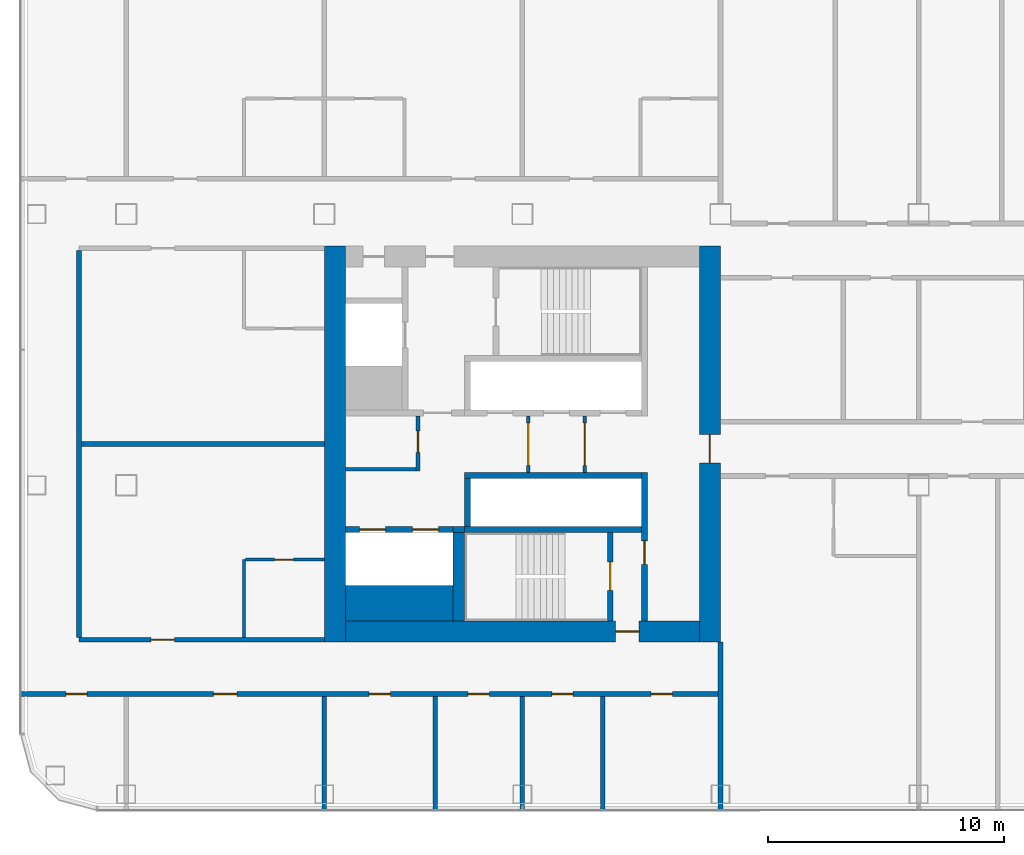
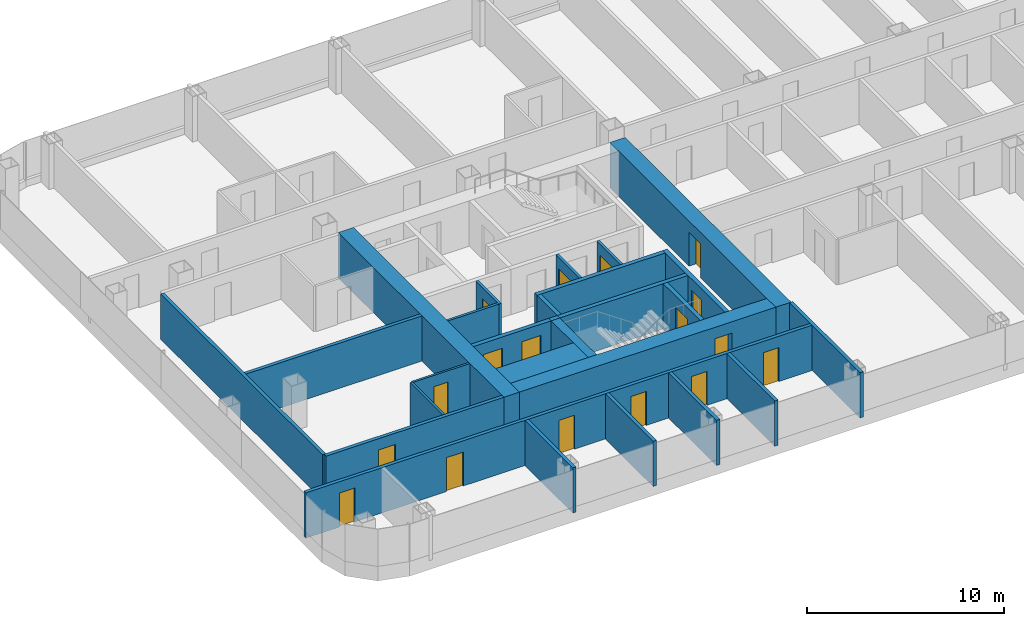
# One storey, part 15 of 29: 27 walls, 17 doors, 17 openings.
"""IFC4 building model written with IfcOpenShell, lengths in metres."""

from ifc_helpers import new_model, si_unit, direction, frame, frame_2d, origin, place, context, subcontext, project, spatial, rectangle, extrude, material, layer, layer_set, type_object, element, fill, save


model = new_model("IFC4")

# Units and contexts
model_context = context("Model", 3, precision=1e-05, world=origin(), true_north=direction((0.0, 1.0)))
body_context = subcontext(model_context, "Body", "Model", "MODEL_VIEW")
ifc_project = project(units=[si_unit("LENGTHUNIT", "METRE"), si_unit("AREAUNIT", "SQUARE_METRE"), si_unit("VOLUMEUNIT", "CUBIC_METRE"), si_unit("PLANEANGLEUNIT", "RADIAN"), si_unit("MASSUNIT", "GRAM", prefix="KILO")], contexts=[model_context])

# Site, building, storey
site_placement = place(None, origin())
site = spatial("IfcSite", under=ifc_project, at=site_placement, CompositionType="ELEMENT")
building_placement = place(site_placement, origin())
building = spatial("IfcBuilding", under=site, at=building_placement, Name="Hakoniwa Tower and Hamabe Station Hall", CompositionType="ELEMENT")
storey_placement = place(building_placement, frame((0.0, 0.0, 75.39990234375)))
storey = spatial("IfcBuildingStorey", under=building, at=storey_placement, Name="L20", CompositionType="ELEMENT", Elevation=75.39990234375)

# Wall, opening, door
ifc_material_1 = material(Name="Gypsum board partition", Category="gypsum")
ifc_layer_1 = layer(ifc_material_1, 0.125)
ifc_layer_set_1 = layer_set([ifc_layer_1], Name="Bathroom Partition 125")
wall_type_1 = type_object("IfcWallType", Name="Bathroom Partition 125", PredefinedType="PARTITIONING", material=ifc_layer_set_1)
wall_1_placement = place(storey_placement, frame((-36.9375, -4.89990234375, 0.0), z_axis=(0.0, 0.0, 1.0), x_axis=(1.0, 0.0, 0.0)))
wall_1 = element("IfcWall", 1, at=wall_1_placement, inside=storey, type_object=wall_type_1, Name="GW-L20-005", PredefinedType="PARTITIONING", context=body_context, shape_type="SweptSolid", body=[
    extrude(rectangle(XDim=3.33740234375, YDim=0.125, at=frame_2d((1.668701171875, 0.0))), origin(), (0.0, 0.0, 1.0), 2.800048828125),
])
opening_1_placement = place(wall_1_placement, frame((1.237548828125, 0.0, 0.0)))
opening_1 = element("IfcOpeningElement", 2, at=opening_1_placement, cuts=wall_1, Name="Opening GD-G2A0-16", PredefinedType="OPENING", context=body_context, shape_type="SweptSolid", body=[
    extrude(rectangle(XDim=0.800048828125, YDim=2.10009765625, at=frame_2d((0.39990234375, 1.050048828125))), frame((0.0, 0.072509765625, 0.0), z_axis=(0.0, -1.0, 0.0), x_axis=(1.0, 0.0, 0.0)), (0.0, 0.0, 1.0), 0.14501953125),
])
ifc_material_2 = material(Name="Timber door leaf", Category="wood")
door_type_1 = type_object("IfcDoorType", Name="Bathroom Door 800", OperationType="SINGLE_SWING_LEFT", PredefinedType="DOOR", material=ifc_material_2)
door_1_placement = place(opening_1_placement, origin())
door_1 = element("IfcDoor", 3, at=door_1_placement, inside=storey, type_object=door_type_1, Name="Door GD-G2A0-16", OperationType="SINGLE_SWING_LEFT", OverallHeight=2.10009765625, OverallWidth=0.800048828125, PredefinedType="DOOR", context=body_context, shape_type="SweptSolid", body=[
    extrude(rectangle(XDim=0.800048828125, YDim=2.10009765625, at=frame_2d((0.39990234375, 1.050048828125))), frame((0.0, 0.02490234375, 0.0), z_axis=(0.0, -1.0, 0.0), x_axis=(1.0, 0.0, 0.0)), (0.0, 0.0, 1.0), 0.050048828125),
])
fill(opening_1, door_1)

# Wall
wall_2_placement = place(storey_placement, frame((-37.0, -8.199951171875, 0.0), z_axis=(0.0, 0.0, 1.0), x_axis=(0.0, 1.0, 0.0)))
element("IfcWall", 4, at=wall_2_placement, inside=storey, type_object=wall_type_1, Name="GW-L20-030", PredefinedType="PARTITIONING", context=body_context, shape_type="SweptSolid", body=[
    extrude(rectangle(XDim=3.300048828125, YDim=0.125, at=frame_2d((1.64990234375, 0.0))), origin(), (0.0, 0.0, 1.0), 2.800048828125),
])

# Wall, opening, door
ifc_material_3 = material(Name="Gypsum board partition")
ifc_layer_2 = layer(ifc_material_3, 0.14990234375)
ifc_layer_set_2 = layer_set([ifc_layer_2], Name="CORE PARTITION 150 EI 60")
wall_type_2 = type_object("IfcWallType", Name="CORE PARTITION 150 EI 60", PredefinedType="PARTITIONING", material=ifc_layer_set_2)
wall_3_placement = place(storey_placement, frame((-22.550048828125, -1.199951171875, 0.0), z_axis=(0.0, 0.0, 1.0), x_axis=(0.0, 1.0, 0.0)))
wall_3 = element("IfcWall", 5, at=wall_3_placement, inside=storey, type_object=wall_type_2, Name="Core partition PL0 west", PredefinedType="PARTITIONING", context=body_context, shape_type="SweptSolid", body=[
    extrude(rectangle(XDim=2.39990234375, YDim=0.14990234375, at=frame_2d((1.199951171875, 0.0))), origin(), (0.0, 0.0, 1.0), 2.800048828125),
])
opening_2_placement = place(wall_3_placement, frame((0.300048828125, 0.0, 0.0)))
opening_2 = element("IfcOpeningElement", 6, at=opening_2_placement, cuts=wall_3, Name="Opening CD-W-LP0-18", PredefinedType="OPENING", context=body_context, shape_type="SweptSolid", body=[
    extrude(rectangle(XDim=1.800048828125, YDim=2.10009765625, at=frame_2d((0.89990234375, 1.050048828125))), frame((0.0, 0.0849609375, 0.0), z_axis=(0.0, -1.0, 0.0), x_axis=(1.0, 0.0, 0.0)), (0.0, 0.0, 1.0), 0.169921875),
])
ifc_material_4 = material(Name="Steel fire door", Category="steel")
door_type_2 = type_object("IfcDoorType", Name="CORE DOOR 1800 FD60", OperationType="DOUBLE_DOOR_SINGLE_SWING", PredefinedType="DOOR", material=ifc_material_4)
door_2_placement = place(opening_2_placement, origin())
door_2 = element("IfcDoor", 7, at=door_2_placement, inside=storey, type_object=door_type_2, Name="Lift lobby partition door", OperationType="DOUBLE_DOOR_SINGLE_SWING", OverallHeight=2.10009765625, OverallWidth=1.800048828125, PredefinedType="DOOR", context=body_context, shape_type="SweptSolid", body=[
    extrude(rectangle(XDim=1.800048828125, YDim=2.10009765625, at=frame_2d((0.89990234375, 1.050048828125))), frame((0.0, 0.02490234375, 0.0), z_axis=(0.0, -1.0, 0.0), x_axis=(1.0, 0.0, 0.0)), (0.0, 0.0, 1.0), 0.050048828125),
])
fill(opening_2, door_2)

wall_4_placement = place(storey_placement, frame((-24.949951171875, -1.199951171875, 0.0), z_axis=(0.0, 0.0, 1.0), x_axis=(0.0, 1.0, 0.0)))
wall_4 = element("IfcWall", 8, at=wall_4_placement, inside=storey, type_object=wall_type_2, Name="Core partition PL1 west", PredefinedType="PARTITIONING", context=body_context, shape_type="SweptSolid", body=[
    extrude(rectangle(XDim=2.39990234375, YDim=0.14990234375, at=frame_2d((1.199951171875, 0.0))), origin(), (0.0, 0.0, 1.0), 2.800048828125),
])
opening_3_placement = place(wall_4_placement, frame((0.300048828125, 0.0, 0.0)))
opening_3 = element("IfcOpeningElement", 9, at=opening_3_placement, cuts=wall_4, Name="Opening CD-W-LP1-18", PredefinedType="OPENING", context=body_context, shape_type="SweptSolid", body=[
    extrude(rectangle(XDim=1.800048828125, YDim=2.10009765625, at=frame_2d((0.89990234375, 1.050048828125))), frame((0.0, 0.0849609375, 0.0), z_axis=(0.0, -1.0, 0.0), x_axis=(1.0, 0.0, 0.0)), (0.0, 0.0, 1.0), 0.169921875),
])
door_3_placement = place(opening_3_placement, origin())
door_3 = element("IfcDoor", 10, at=door_3_placement, inside=storey, type_object=door_type_2, Name="Lift lobby partition door", OperationType="DOUBLE_DOOR_SINGLE_SWING", OverallHeight=2.10009765625, OverallWidth=1.800048828125, PredefinedType="DOOR", context=body_context, shape_type="SweptSolid", body=[
    extrude(rectangle(XDim=1.800048828125, YDim=2.10009765625, at=frame_2d((0.89990234375, 1.050048828125))), frame((0.0, 0.02490234375, 0.0), z_axis=(0.0, -1.0, 0.0), x_axis=(1.0, 0.0, 0.0)), (0.0, 0.0, 1.0), 0.050048828125),
])
fill(opening_3, door_3)

wall_5_placement = place(storey_placement, frame((-29.625, -1.14990234375, 0.0), z_axis=(0.0, 0.0, 1.0), x_axis=(0.0, 1.0, 0.0)))
wall_5 = element("IfcWall", 11, at=wall_5_placement, inside=storey, type_object=wall_type_2, Name="Core partition PW0 west", PredefinedType="PARTITIONING", context=body_context, shape_type="SweptSolid", body=[
    extrude(rectangle(XDim=2.349853515625, YDim=0.14990234375, at=frame_2d((1.1748046875, 0.0))), origin(), (0.0, 0.0, 1.0), 2.800048828125),
])
opening_4_placement = place(wall_5_placement, frame((0.800048828125, 0.0, 0.0)))
opening_4 = element("IfcOpeningElement", 12, at=opening_4_placement, cuts=wall_5, Name="Opening CD-W-RM1-9", PredefinedType="OPENING", context=body_context, shape_type="SweptSolid", body=[
    extrude(rectangle(XDim=0.89990234375, YDim=2.10009765625, at=frame_2d((0.449951171875, 1.050048828125))), frame((0.0, 0.0849609375, 0.0), z_axis=(0.0, -1.0, 0.0), x_axis=(1.0, 0.0, 0.0)), (0.0, 0.0, 1.0), 0.169921875),
])
ifc_material_5 = material(Name="Steel fire door", Category="steel")
door_type_3 = type_object("IfcDoorType", Name="CORE DOOR 900 FD30", OperationType="NOTDEFINED", PredefinedType="DOOR", material=ifc_material_5)
door_4_placement = place(opening_4_placement, origin())
door_4 = element("IfcDoor", 13, at=door_4_placement, inside=storey, type_object=door_type_3, Name="Store room door", OperationType="SINGLE_SWING_RIGHT", OverallHeight=2.10009765625, OverallWidth=0.89990234375, PredefinedType="DOOR", context=body_context, shape_type="SweptSolid", body=[
    extrude(rectangle(XDim=0.89990234375, YDim=2.10009765625, at=frame_2d((0.449951171875, 1.050048828125))), frame((0.0, 0.02490234375, 0.0), z_axis=(0.0, -1.0, 0.0), x_axis=(1.0, 0.0, 0.0)), (0.0, 0.0, 1.0), 0.050048828125),
])
fill(opening_4, door_4)

# Wall
wall_6_placement = place(storey_placement, frame((-32.699951171875, -1.074951171875, 0.0), z_axis=(0.0, 0.0, 1.0), x_axis=(1.0, 0.0, 0.0)))
element("IfcWall", 14, at=wall_6_placement, inside=storey, type_object=wall_type_2, Name="Core partition PS west", PredefinedType="PARTITIONING", context=body_context, shape_type="SweptSolid", body=[
    extrude(rectangle(XDim=3.0, YDim=0.14990234375, at=frame_2d((1.5, 0.0))), origin(), (0.0, 0.0, 1.0), 2.800048828125),
])

# Wall, opening, door
ifc_material_6 = material(Name="Concrete C72", Category="concrete")
ifc_layer_3 = layer(ifc_material_6, 0.89990234375)
ifc_layer_set_3 = layer_set([ifc_layer_3], Name="CORE WALL 900 C72")
wall_type_3 = type_object("IfcWallType", Name="CORE WALL 900 C72", PredefinedType="SHEAR", material=ifc_layer_set_3)
wall_7_placement = place(storey_placement, frame((-17.25, -8.39990234375, 0.0), z_axis=(0.0, 0.0, 1.0), x_axis=(0.0, 1.0, 0.0)))
wall_7 = element("IfcWall", 15, at=wall_7_placement, inside=storey, type_object=wall_type_3, Name="Core wall INNER west", PredefinedType="SHEAR", context=body_context, shape_type="SweptSolid", body=[
    extrude(rectangle(XDim=16.7998046875, YDim=0.89990234375, at=frame_2d((8.39990234375, 0.0))), origin(), (0.0, 0.0, 1.0), 2.800048828125),
])
opening_5_placement = place(wall_7_placement, frame((7.60009765625, 0.0, 0.0)))
opening_5 = element("IfcOpeningElement", 16, at=opening_5_placement, cuts=wall_7, Name="Opening CD-W-IN1-12", PredefinedType="OPENING", context=body_context, shape_type="SweptSolid", body=[
    extrude(rectangle(XDim=1.199951171875, YDim=2.10009765625, at=frame_2d((0.60009765625, 1.050048828125))), frame((0.0, 0.4599609375, 0.0), z_axis=(0.0, -1.0, 0.0), x_axis=(1.0, 0.0, 0.0)), (0.0, 0.0, 1.0), 0.919921875),
])
ifc_material_7 = material(Name="Steel fire door", Category="steel")
door_type_4 = type_object("IfcDoorType", Name="CORE DOOR 1200 FD60", OperationType="DOUBLE_DOOR_SINGLE_SWING", PredefinedType="DOOR", material=ifc_material_7)
door_5_placement = place(opening_5_placement, origin())
door_5 = element("IfcDoor", 17, at=door_5_placement, inside=storey, type_object=door_type_4, Name="Lift lobby door", OperationType="DOUBLE_DOOR_SINGLE_SWING", OverallHeight=2.10009765625, OverallWidth=1.199951171875, PredefinedType="DOOR", context=body_context, shape_type="SweptSolid", body=[
    extrude(rectangle(XDim=1.199951171875, YDim=2.10009765625, at=frame_2d((0.60009765625, 1.050048828125))), frame((0.0, 0.02490234375, 0.0), z_axis=(0.0, -1.0, 0.0), x_axis=(1.0, 0.0, 0.0)), (0.0, 0.0, 1.0), 0.050048828125),
])
fill(opening_5, door_5)

# Wall
wall_8_placement = place(storey_placement, frame((-33.14990234375, -8.39990234375, 0.0), z_axis=(0.0, 0.0, 1.0), x_axis=(0.0, 1.0, 0.0)))
element("IfcWall", 18, at=wall_8_placement, inside=storey, type_object=wall_type_3, Name="Core wall OUTER west", PredefinedType="SHEAR", context=body_context, shape_type="SweptSolid", body=[
    extrude(rectangle(XDim=16.7998046875, YDim=0.89990234375, at=frame_2d((8.39990234375, 0.0))), origin(), (0.0, 0.0, 1.0), 2.800048828125),
])

# Wall, opening, door
wall_9_placement = place(storey_placement, frame((-32.699951171875, -7.949951171875, 0.0), z_axis=(0.0, 0.0, 1.0), x_axis=(1.0, 0.0, 0.0)))
wall_9 = element("IfcWall", 19, at=wall_9_placement, inside=storey, type_object=wall_type_3, Name="Core wall SOUTH west", PredefinedType="SHEAR", context=body_context, shape_type="SweptSolid", body=[
    extrude(rectangle(XDim=15.0, YDim=0.89990234375, at=frame_2d((7.5, 0.0))), origin(), (0.0, 0.0, 1.0), 2.800048828125),
])
opening_6_placement = place(wall_9_placement, frame((11.449951171875, 0.0, 0.0)))
opening_6 = element("IfcOpeningElement", 20, at=opening_6_placement, cuts=wall_9, Name="Opening CD-W-FS3-10", PredefinedType="OPENING", context=body_context, shape_type="SweptSolid", body=[
    extrude(rectangle(XDim=1.0, YDim=2.10009765625, at=frame_2d((0.5, 1.050048828125))), frame((0.0, 0.4599609375, 0.0), z_axis=(0.0, -1.0, 0.0), x_axis=(1.0, 0.0, 0.0)), (0.0, 0.0, 1.0), 0.919921875),
])
ifc_material_8 = material(Name="Steel fire door", Category="steel")
door_type_5 = type_object("IfcDoorType", Name="CORE DOOR 1000 FD60", OperationType="NOTDEFINED", PredefinedType="DOOR", material=ifc_material_8)
door_6_placement = place(opening_6_placement, origin())
door_6 = element("IfcDoor", 21, at=door_6_placement, inside=storey, type_object=door_type_5, Name="Stair vestibule door", OperationType="SINGLE_SWING_RIGHT", OverallHeight=2.10009765625, OverallWidth=1.0, PredefinedType="DOOR", context=body_context, shape_type="SweptSolid", body=[
    extrude(rectangle(XDim=1.0, YDim=2.10009765625, at=frame_2d((0.5, 1.050048828125))), frame((0.0, 0.02490234375, 0.0), z_axis=(0.0, -1.0, 0.0), x_axis=(1.0, 0.0, 0.0)), (0.0, 0.0, 1.0), 0.050048828125),
])
fill(opening_6, door_6)

# Wall
ifc_material_9 = material(Name="Concrete C72", Category="concrete")
ifc_layer_4 = layer(ifc_material_9, 1.5)
ifc_layer_set_4 = layer_set([ifc_layer_4], Name="CORE WEB WALL 1500 C72")
wall_type_4 = type_object("IfcWallType", Name="CORE WEB WALL 1500 C72", PredefinedType="SHEAR", material=ifc_layer_set_4)
wall_10_placement = place(storey_placement, frame((-32.699951171875, -6.75, 0.0), z_axis=(0.0, 0.0, 1.0), x_axis=(1.0, 0.0, 0.0)))
element("IfcWall", 22, at=wall_10_placement, inside=storey, type_object=wall_type_4, Name="Core wall SER west", PredefinedType="SHEAR", context=body_context, shape_type="SweptSolid", body=[
    extrude(rectangle(XDim=4.550048828125, YDim=1.5, at=frame_2d((2.27490234375, 0.0))), origin(), (0.0, 0.0, 1.0), 2.800048828125),
])

# Wall, opening, door
ifc_material_10 = material(Name="Concrete C72", Category="concrete")
ifc_layer_5 = layer(ifc_material_10, 0.25)
ifc_layer_set_5 = layer_set([ifc_layer_5], Name="CORE WEB WALL 250 C72")
wall_type_5 = type_object("IfcWallType", Name="CORE WEB WALL 250 C72", PredefinedType="SHEAR", material=ifc_layer_set_5)
wall_11_placement = place(storey_placement, frame((-20.02490234375, -7.5, 0.0), z_axis=(0.0, 0.0, 1.0), x_axis=(0.0, 1.0, 0.0)))
wall_11 = element("IfcWall", 23, at=wall_11_placement, inside=storey, type_object=wall_type_5, Name="Core wall W1S west", PredefinedType="SHEAR", context=body_context, shape_type="SweptSolid", body=[
    extrude(rectangle(XDim=6.300048828125, YDim=0.25, at=frame_2d((3.14990234375, 0.0))), origin(), (0.0, 0.0, 1.0), 2.800048828125),
])
opening_7_placement = place(wall_11_placement, frame((2.39990234375, 0.0, 0.0)))
opening_7 = element("IfcOpeningElement", 24, at=opening_7_placement, cuts=wall_11, Name="Opening CD-W-VS-10", PredefinedType="OPENING", context=body_context, shape_type="SweptSolid", body=[
    extrude(rectangle(XDim=1.0, YDim=2.10009765625, at=frame_2d((0.5, 1.050048828125))), frame((0.0, 0.135009765625, 0.0), z_axis=(0.0, -1.0, 0.0), x_axis=(1.0, 0.0, 0.0)), (0.0, 0.0, 1.0), 0.27001953125),
])
door_7_placement = place(opening_7_placement, origin())
door_7 = element("IfcDoor", 25, at=door_7_placement, inside=storey, type_object=door_type_5, Name="Stair vestibule door", OperationType="SINGLE_SWING_LEFT", OverallHeight=2.10009765625, OverallWidth=1.0, PredefinedType="DOOR", context=body_context, shape_type="SweptSolid", body=[
    extrude(rectangle(XDim=1.0, YDim=2.10009765625, at=frame_2d((0.5, 1.050048828125))), frame((0.0, 0.02490234375, 0.0), z_axis=(0.0, -1.0, 0.0), x_axis=(1.0, 0.0, 0.0)), (0.0, 0.0, 1.0), 0.050048828125),
])
fill(opening_7, door_7)

# Walls
wall_12_placement = place(storey_placement, frame((-27.64990234375, -1.324951171875, 0.0), z_axis=(0.0, 0.0, 1.0), x_axis=(1.0, 0.0, 0.0)))
element("IfcWall", 26, at=wall_12_placement, inside=storey, type_object=wall_type_5, Name="Core wall SF west", PredefinedType="SHEAR", context=body_context, shape_type="SweptSolid", body=[
    extrude(rectangle(XDim=7.5, YDim=0.25, at=frame_2d((3.75, 0.0))), origin(), (0.0, 0.0, 1.0), 2.800048828125),
])
wall_13_placement = place(storey_placement, frame((-27.52490234375, -3.5, 0.0), z_axis=(0.0, 0.0, 1.0), x_axis=(0.0, 1.0, 0.0)))
element("IfcWall", 27, at=wall_13_placement, inside=storey, type_object=wall_type_5, Name="Core wall SE west", PredefinedType="SHEAR", context=body_context, shape_type="SweptSolid", body=[
    extrude(rectangle(XDim=2.050048828125, YDim=0.25, at=frame_2d((1.02490234375, 0.0))), origin(), (0.0, 0.0, 1.0), 2.800048828125),
])
wall_14_placement = place(storey_placement, frame((-27.64990234375, -3.625, 0.0), z_axis=(0.0, 0.0, 1.0), x_axis=(1.0, 0.0, 0.0)))
element("IfcWall", 28, at=wall_14_placement, inside=storey, type_object=wall_type_5, Name="Core wall SR west", PredefinedType="SHEAR", context=body_context, shape_type="SweptSolid", body=[
    extrude(rectangle(XDim=7.5, YDim=0.25, at=frame_2d((3.75, 0.0))), origin(), (0.0, 0.0, 1.0), 2.800048828125),
])

# Wall, opening, door
wall_15_placement = place(storey_placement, frame((-21.47509765625, -7.5, 0.0), z_axis=(0.0, 0.0, 1.0), x_axis=(0.0, 1.0, 0.0)))
wall_15 = element("IfcWall", 29, at=wall_15_placement, inside=storey, type_object=wall_type_5, Name="Core wall VE west", PredefinedType="SHEAR", context=body_context, shape_type="SweptSolid", body=[
    extrude(rectangle(XDim=3.75, YDim=0.25, at=frame_2d((1.875, 0.0))), origin(), (0.0, 0.0, 1.0), 2.800048828125),
])
opening_8_placement = place(wall_15_placement, frame((1.300048828125, 0.0, 0.0)))
opening_8 = element("IfcOpeningElement", 30, at=opening_8_placement, cuts=wall_15, Name="Opening CD-W-SS-12", PredefinedType="OPENING", context=body_context, shape_type="SweptSolid", body=[
    extrude(rectangle(XDim=1.199951171875, YDim=2.10009765625, at=frame_2d((0.60009765625, 1.050048828125))), frame((0.0, 0.135009765625, 0.0), z_axis=(0.0, -1.0, 0.0), x_axis=(1.0, 0.0, 0.0)), (0.0, 0.0, 1.0), 0.27001953125),
])
door_8_placement = place(opening_8_placement, origin())
door_8 = element("IfcDoor", 31, at=door_8_placement, inside=storey, type_object=door_type_4, Name="Escape stair door", OperationType="DOUBLE_DOOR_SINGLE_SWING", OverallHeight=2.10009765625, OverallWidth=1.199951171875, PredefinedType="DOOR", context=body_context, shape_type="SweptSolid", body=[
    extrude(rectangle(XDim=1.199951171875, YDim=2.10009765625, at=frame_2d((0.60009765625, 1.050048828125))), frame((0.0, 0.02490234375, 0.0), z_axis=(0.0, -1.0, 0.0), x_axis=(1.0, 0.0, 0.0)), (0.0, 0.0, 1.0), 0.050048828125),
])
fill(opening_8, door_8)

# Wall, openings, doors
wall_16_placement = place(storey_placement, frame((-32.699951171875, -3.625, 0.0), z_axis=(0.0, 0.0, 1.0), x_axis=(1.0, 0.0, 0.0)))
wall_16 = element("IfcWall", 32, at=wall_16_placement, inside=storey, type_object=wall_type_5, Name="Core wall SEF west", PredefinedType="SHEAR", context=body_context, shape_type="SweptSolid", body=[
    extrude(rectangle(XDim=4.550048828125, YDim=0.25, at=frame_2d((2.27490234375, 0.0))), origin(), (0.0, 0.0, 1.0), 2.800048828125),
])
opening_9_placement = place(wall_16_placement, frame((2.85009765625, 0.0, 0.0)))
opening_9 = element("IfcOpeningElement", 33, at=opening_9_placement, cuts=wall_16, Name="Opening LD-SV1", PredefinedType="OPENING", context=body_context, shape_type="SweptSolid", body=[
    extrude(rectangle(XDim=1.10009765625, YDim=2.10009765625, at=frame_2d((0.550048828125, 1.050048828125))), frame((0.0, 0.135009765625, 0.0), z_axis=(0.0, -1.0, 0.0), x_axis=(1.0, 0.0, 0.0)), (0.0, 0.0, 1.0), 0.27001953125),
])
opening_10_placement = place(wall_16_placement, frame((0.60009765625, 0.0, 0.0)))
opening_10 = element("IfcOpeningElement", 34, at=opening_10_placement, cuts=wall_16, Name="Opening LD-SV2", PredefinedType="OPENING", context=body_context, shape_type="SweptSolid", body=[
    extrude(rectangle(XDim=1.10009765625, YDim=2.10009765625, at=frame_2d((0.550048828125, 1.050048828125))), frame((0.0, 0.135009765625, 0.0), z_axis=(0.0, -1.0, 0.0), x_axis=(1.0, 0.0, 0.0)), (0.0, 0.0, 1.0), 0.27001953125),
])
ifc_material_11 = material(Name="Stainless steel SUS304", Category="steel")
door_type_6 = type_object("IfcDoorType", Name="LIFT LANDING DOOR 1100 FD60", OperationType="DOUBLE_DOOR_SLIDING", PredefinedType="DOOR", material=ifc_material_11)
door_9_placement = place(opening_9_placement, origin())
door_9 = element("IfcDoor", 35, at=door_9_placement, inside=storey, type_object=door_type_6, Name="Lift landing door SV1 L20", OperationType="DOUBLE_DOOR_SLIDING", OverallHeight=2.10009765625, OverallWidth=1.10009765625, PredefinedType="DOOR", context=body_context, shape_type="SweptSolid", body=[
    extrude(rectangle(XDim=1.10009765625, YDim=2.10009765625, at=frame_2d((0.550048828125, 1.050048828125))), frame((0.0, 0.02490234375, 0.0), z_axis=(0.0, -1.0, 0.0), x_axis=(1.0, 0.0, 0.0)), (0.0, 0.0, 1.0), 0.050048828125),
])
fill(opening_9, door_9)
door_10_placement = place(opening_10_placement, origin())
door_10 = element("IfcDoor", 36, at=door_10_placement, inside=storey, type_object=door_type_6, Name="Lift landing door SV2 L20", OperationType="DOUBLE_DOOR_SLIDING", OverallHeight=2.10009765625, OverallWidth=1.10009765625, PredefinedType="DOOR", context=body_context, shape_type="SweptSolid", body=[
    extrude(rectangle(XDim=1.10009765625, YDim=2.10009765625, at=frame_2d((0.550048828125, 1.050048828125))), frame((0.0, 0.02490234375, 0.0), z_axis=(0.0, -1.0, 0.0), x_axis=(1.0, 0.0, 0.0)), (0.0, 0.0, 1.0), 0.050048828125),
])
fill(opening_10, door_10)

# Walls
wall_17_placement = place(storey_placement, frame((-28.14990234375, -3.625, 0.0), z_axis=(0.0, 0.0, 1.0), x_axis=(1.0, 0.0, 0.0)))
element("IfcWall", 37, at=wall_17_placement, inside=storey, type_object=wall_type_5, Name="Core wall SRK west", PredefinedType="SHEAR", context=body_context, shape_type="SweptSolid", body=[
    extrude(rectangle(XDim=0.5, YDim=0.25, at=frame_2d((0.25, 0.0))), origin(), (0.0, 0.0, 1.0), 2.800048828125),
])
ifc_material_12 = material(Name="Concrete C72", Category="concrete")
ifc_layer_6 = layer(ifc_material_12, 0.5)
ifc_layer_set_6 = layer_set([ifc_layer_6], Name="CORE WEB WALL 500 C72")
wall_type_6 = type_object("IfcWallType", Name="CORE WEB WALL 500 C72", PredefinedType="SHEAR", material=ifc_layer_set_6)
wall_18_placement = place(storey_placement, frame((-27.89990234375, -7.5, 0.0), z_axis=(0.0, 0.0, 1.0), x_axis=(0.0, 1.0, 0.0)))
element("IfcWall", 38, at=wall_18_placement, inside=storey, type_object=wall_type_6, Name="Core wall SSE west", PredefinedType="SHEAR", context=body_context, shape_type="SweptSolid", body=[
    extrude(rectangle(XDim=3.75, YDim=0.5, at=frame_2d((1.875, 0.0))), origin(), (0.0, 0.0, 1.0), 2.800048828125),
])

# Wall, openings, doors
ifc_material_13 = material(Name="Fire-rated gypsum board partition", Category="gypsum")
ifc_layer_7 = layer(ifc_material_13, 0.199951171875)
ifc_layer_set_7 = layer_set([ifc_layer_7], Name="Corridor Wall 200")
wall_type_7 = type_object("IfcWallType", Name="Corridor Wall 200", PredefinedType="PARTITIONING", material=ifc_layer_set_7)
wall_19_placement = place(storey_placement, frame((-46.5, -10.60009765625, 0.0), z_axis=(0.0, 0.0, 1.0), x_axis=(1.0, 0.0, 0.0)))
wall_19 = element("IfcWall", 39, at=wall_19_placement, inside=storey, type_object=wall_type_7, Name="GW-L20-001", PredefinedType="PARTITIONING", context=body_context, shape_type="SweptSolid", body=[
    extrude(rectangle(XDim=29.699951171875, YDim=0.199951171875, at=frame_2d((14.85009765625, 0.0))), origin(), (0.0, 0.0, 1.0), 2.800048828125),
])
opening_11_placement = place(wall_19_placement, frame((1.949951171875, 0.0, 0.0)))
opening_11 = element("IfcOpeningElement", 40, at=opening_11_placement, cuts=wall_19, Name="Opening GD-G2A0-01", PredefinedType="OPENING", context=body_context, shape_type="SweptSolid", body=[
    extrude(rectangle(XDim=0.89990234375, YDim=2.10009765625, at=frame_2d((0.449951171875, 1.050048828125))), frame((0.0, 0.10986328125, 0.0), z_axis=(0.0, -1.0, 0.0), x_axis=(1.0, 0.0, 0.0)), (0.0, 0.0, 1.0), 0.219970703125),
])
opening_12_placement = place(wall_19_placement, frame((8.199951171875, 0.0, 0.0)))
opening_12 = element("IfcOpeningElement", 41, at=opening_12_placement, cuts=wall_19, Name="Opening GD-G2A0-02", PredefinedType="OPENING", context=body_context, shape_type="SweptSolid", body=[
    extrude(rectangle(XDim=1.0, YDim=2.10009765625, at=frame_2d((0.5, 1.050048828125))), frame((0.0, 0.10986328125, 0.0), z_axis=(0.0, -1.0, 0.0), x_axis=(1.0, 0.0, 0.0)), (0.0, 0.0, 1.0), 0.219970703125),
])
opening_13_placement = place(wall_19_placement, frame((14.800048828125, 0.0, 0.0)))
opening_13 = element("IfcOpeningElement", 42, at=opening_13_placement, cuts=wall_19, Name="Opening GD-G2A0-03", PredefinedType="OPENING", context=body_context, shape_type="SweptSolid", body=[
    extrude(rectangle(XDim=0.89990234375, YDim=2.10009765625, at=frame_2d((0.449951171875, 1.050048828125))), frame((0.0, 0.10986328125, 0.0), z_axis=(0.0, -1.0, 0.0), x_axis=(1.0, 0.0, 0.0)), (0.0, 0.0, 1.0), 0.219970703125),
])
opening_14_placement = place(wall_19_placement, frame((19.0, 0.0, 0.0)))
opening_14 = element("IfcOpeningElement", 43, at=opening_14_placement, cuts=wall_19, Name="Opening GD-G2A0-04", PredefinedType="OPENING", context=body_context, shape_type="SweptSolid", body=[
    extrude(rectangle(XDim=0.89990234375, YDim=2.10009765625, at=frame_2d((0.449951171875, 1.050048828125))), frame((0.0, 0.10986328125, 0.0), z_axis=(0.0, -1.0, 0.0), x_axis=(1.0, 0.0, 0.0)), (0.0, 0.0, 1.0), 0.219970703125),
])
opening_15_placement = place(wall_19_placement, frame((22.554931640625, 0.0, 0.0)))
opening_15 = element("IfcOpeningElement", 44, at=opening_15_placement, cuts=wall_19, Name="Opening GD-G2A0-05", PredefinedType="OPENING", context=body_context, shape_type="SweptSolid", body=[
    extrude(rectangle(XDim=0.89990234375, YDim=2.10009765625, at=frame_2d((0.449951171875, 1.050048828125))), frame((0.0, 0.10986328125, 0.0), z_axis=(0.0, -1.0, 0.0), x_axis=(1.0, 0.0, 0.0)), (0.0, 0.0, 1.0), 0.219970703125),
])
opening_16_placement = place(wall_19_placement, frame((26.7548828125, 0.0, 0.0)))
opening_16 = element("IfcOpeningElement", 45, at=opening_16_placement, cuts=wall_19, Name="Opening GD-G2A0-06", PredefinedType="OPENING", context=body_context, shape_type="SweptSolid", body=[
    extrude(rectangle(XDim=0.89990234375, YDim=2.10009765625, at=frame_2d((0.449951171875, 1.050048828125))), frame((0.0, 0.10986328125, 0.0), z_axis=(0.0, -1.0, 0.0), x_axis=(1.0, 0.0, 0.0)), (0.0, 0.0, 1.0), 0.219970703125),
])
ifc_material_14 = material(Name="Timber door leaf", Category="wood")
door_type_7 = type_object("IfcDoorType", Name="Guest Entrance Door 1000", OperationType="SINGLE_SWING_LEFT", PredefinedType="DOOR", material=ifc_material_14)
door_11_placement = place(opening_12_placement, origin())
door_11 = element("IfcDoor", 46, at=door_11_placement, inside=storey, type_object=door_type_7, Name="Door GD-G2A0-02", OperationType="SINGLE_SWING_RIGHT", OverallHeight=2.10009765625, OverallWidth=1.0, PredefinedType="DOOR", context=body_context, shape_type="SweptSolid", body=[
    extrude(rectangle(XDim=1.0, YDim=2.10009765625, at=frame_2d((0.5, 1.050048828125))), frame((0.0, 0.02490234375, 0.0), z_axis=(0.0, -1.0, 0.0), x_axis=(1.0, 0.0, 0.0)), (0.0, 0.0, 1.0), 0.050048828125),
])
fill(opening_12, door_11)
ifc_material_15 = material(Name="Timber door leaf", Category="wood")
door_type_8 = type_object("IfcDoorType", Name="Service Door 900", OperationType="SINGLE_SWING_LEFT", PredefinedType="DOOR", material=ifc_material_15)
door_12_placement = place(opening_11_placement, origin())
door_12 = element("IfcDoor", 47, at=door_12_placement, inside=storey, type_object=door_type_8, Name="Door GD-G2A0-01", OperationType="SINGLE_SWING_RIGHT", OverallHeight=2.10009765625, OverallWidth=0.89990234375, PredefinedType="DOOR", context=body_context, shape_type="SweptSolid", body=[
    extrude(rectangle(XDim=0.89990234375, YDim=2.10009765625, at=frame_2d((0.449951171875, 1.050048828125))), frame((0.0, 0.02490234375, 0.0), z_axis=(0.0, -1.0, 0.0), x_axis=(1.0, 0.0, 0.0)), (0.0, 0.0, 1.0), 0.050048828125),
])
fill(opening_11, door_12)
door_13_placement = place(opening_13_placement, origin())
door_13 = element("IfcDoor", 48, at=door_13_placement, inside=storey, type_object=door_type_8, Name="Door GD-G2A0-03", OperationType="SINGLE_SWING_LEFT", OverallHeight=2.10009765625, OverallWidth=0.89990234375, PredefinedType="DOOR", context=body_context, shape_type="SweptSolid", body=[
    extrude(rectangle(XDim=0.89990234375, YDim=2.10009765625, at=frame_2d((0.449951171875, 1.050048828125))), frame((0.0, 0.02490234375, 0.0), z_axis=(0.0, -1.0, 0.0), x_axis=(1.0, 0.0, 0.0)), (0.0, 0.0, 1.0), 0.050048828125),
])
fill(opening_13, door_13)
door_14_placement = place(opening_14_placement, origin())
door_14 = element("IfcDoor", 49, at=door_14_placement, inside=storey, type_object=door_type_8, Name="Door GD-G2A0-04", OperationType="SINGLE_SWING_RIGHT", OverallHeight=2.10009765625, OverallWidth=0.89990234375, PredefinedType="DOOR", context=body_context, shape_type="SweptSolid", body=[
    extrude(rectangle(XDim=0.89990234375, YDim=2.10009765625, at=frame_2d((0.449951171875, 1.050048828125))), frame((0.0, 0.02490234375, 0.0), z_axis=(0.0, -1.0, 0.0), x_axis=(1.0, 0.0, 0.0)), (0.0, 0.0, 1.0), 0.050048828125),
])
fill(opening_14, door_14)
door_15_placement = place(opening_15_placement, origin())
door_15 = element("IfcDoor", 50, at=door_15_placement, inside=storey, type_object=door_type_8, Name="Door GD-G2A0-05", OperationType="SINGLE_SWING_LEFT", OverallHeight=2.10009765625, OverallWidth=0.89990234375, PredefinedType="DOOR", context=body_context, shape_type="SweptSolid", body=[
    extrude(rectangle(XDim=0.89990234375, YDim=2.10009765625, at=frame_2d((0.449951171875, 1.050048828125))), frame((0.0, 0.02490234375, 0.0), z_axis=(0.0, -1.0, 0.0), x_axis=(1.0, 0.0, 0.0)), (0.0, 0.0, 1.0), 0.050048828125),
])
fill(opening_15, door_15)
door_16_placement = place(opening_16_placement, origin())
door_16 = element("IfcDoor", 51, at=door_16_placement, inside=storey, type_object=door_type_8, Name="Door GD-G2A0-06", OperationType="SINGLE_SWING_RIGHT", OverallHeight=2.10009765625, OverallWidth=0.89990234375, PredefinedType="DOOR", context=body_context, shape_type="SweptSolid", body=[
    extrude(rectangle(XDim=0.89990234375, YDim=2.10009765625, at=frame_2d((0.449951171875, 1.050048828125))), frame((0.0, 0.02490234375, 0.0), z_axis=(0.0, -1.0, 0.0), x_axis=(1.0, 0.0, 0.0)), (0.0, 0.0, 1.0), 0.050048828125),
])
fill(opening_16, door_16)

# Wall, opening, door
wall_20_placement = place(storey_placement, frame((-44.0, -8.300048828125, 0.0), z_axis=(0.0, 0.0, 1.0), x_axis=(1.0, 0.0, 0.0)))
wall_20 = element("IfcWall", 52, at=wall_20_placement, inside=storey, type_object=wall_type_7, Name="GW-L20-003", PredefinedType="PARTITIONING", context=body_context, shape_type="SweptSolid", body=[
    extrude(rectangle(XDim=10.39990234375, YDim=0.199951171875, at=frame_2d((5.199951171875, 0.0))), origin(), (0.0, 0.0, 1.0), 2.800048828125),
])
opening_17_placement = place(wall_20_placement, frame((3.050048828125, 0.0, 0.0)))
opening_17 = element("IfcOpeningElement", 53, at=opening_17_placement, cuts=wall_20, Name="Opening GD-G2A0-14", PredefinedType="OPENING", context=body_context, shape_type="SweptSolid", body=[
    extrude(rectangle(XDim=1.0, YDim=2.10009765625, at=frame_2d((0.5, 1.050048828125))), frame((0.0, 0.10986328125, 0.0), z_axis=(0.0, -1.0, 0.0), x_axis=(1.0, 0.0, 0.0)), (0.0, 0.0, 1.0), 0.219970703125),
])
door_17_placement = place(opening_17_placement, origin())
door_17 = element("IfcDoor", 54, at=door_17_placement, inside=storey, type_object=door_type_7, Name="Door GD-G2A0-14", OperationType="SINGLE_SWING_RIGHT", OverallHeight=2.10009765625, OverallWidth=1.0, PredefinedType="DOOR", context=body_context, shape_type="SweptSolid", body=[
    extrude(rectangle(XDim=1.0, YDim=2.10009765625, at=frame_2d((0.5, 1.050048828125))), frame((0.0, 0.02490234375, 0.0), z_axis=(0.0, -1.0, 0.0), x_axis=(1.0, 0.0, 0.0)), (0.0, 0.0, 1.0), 0.050048828125),
])
fill(opening_17, door_17)

# Walls
ifc_material_16 = material(Name="Fire-rated gypsum board partition", Category="gypsum")
ifc_layer_8 = layer(ifc_material_16, 0.199951171875)
ifc_layer_set_8 = layer_set([ifc_layer_8], Name="Party Wall 200")
wall_type_8 = type_object("IfcWallType", Name="Party Wall 200", PredefinedType="PARTITIONING", material=ifc_layer_set_8)
wall_21_placement = place(storey_placement, frame((-43.89990234375, 0.0, 0.0), z_axis=(0.0, 0.0, 1.0), x_axis=(1.0, 0.0, 0.0)))
element("IfcWall", 55, at=wall_21_placement, inside=storey, type_object=wall_type_8, Name="GW-L20-011", PredefinedType="PARTITIONING", context=body_context, shape_type="SweptSolid", body=[
    extrude(rectangle(XDim=10.2998046875, YDim=0.199951171875, at=frame_2d((5.14990234375, 0.0))), origin(), (0.0, 0.0, 1.0), 2.800048828125),
])
wall_22_placement = place(storey_placement, frame((-44.0, -8.199951171875, 0.0), z_axis=(0.0, 0.0, 1.0), x_axis=(0.0, 1.0, 0.0)))
element("IfcWall", 56, at=wall_22_placement, inside=storey, type_object=wall_type_8, Name="GW-L20-027", PredefinedType="PARTITIONING", context=body_context, shape_type="SweptSolid", body=[
    extrude(rectangle(XDim=16.39990234375, YDim=0.199951171875, at=frame_2d((8.199951171875, 0.0))), origin(), (0.0, 0.0, 1.0), 2.800048828125),
])
for number, where, z_axis, x_axis, name in (
    (57, (-33.60009765625, -15.550048828125, 0.0), (0.0, 0.0, 1.0), (0.0, 1.0, 0.0), "GW-L20-033"),
    (58, (-28.89990234375, -15.550048828125, 0.0), (0.0, 0.0, 1.0), (0.0, 1.0, 0.0), "GW-L20-036"),
    (59, (-25.199951171875, -15.550048828125, 0.0), (0.0, 0.0, 1.0), (0.0, 1.0, 0.0), "GW-L20-037"),
    (60, (-21.7900390625, -15.550048828125, 0.0), (0.0, 0.0, 1.0), (0.0, 1.0, 0.0), "GW-L20-039"),
):
    element("IfcWall", number, at=place(storey_placement, frame(where, z_axis=z_axis, x_axis=x_axis)), inside=storey, type_object=wall_type_8, Name=name, PredefinedType="PARTITIONING", context=body_context, shape_type="SweptSolid", body=[
        extrude(rectangle(XDim=4.85009765625, YDim=0.199951171875, at=frame_2d((2.425048828125, 0.0))), origin(), (0.0, 0.0, 1.0), 2.800048828125),
    ])
wall_23_placement = place(storey_placement, frame((-16.800048828125, -15.550048828125, 0.0), z_axis=(0.0, 0.0, 1.0), x_axis=(0.0, 1.0, 0.0)))
element("IfcWall", 61, at=wall_23_placement, inside=storey, type_object=wall_type_8, Name="GW-L20-041", PredefinedType="PARTITIONING", context=body_context, shape_type="SweptSolid", body=[
    extrude(rectangle(XDim=7.16015625, YDim=0.199951171875, at=frame_2d((3.580078125, 0.0))), origin(), (0.0, 0.0, 1.0), 2.800048828125),
])

save(model, "model.ifc")
